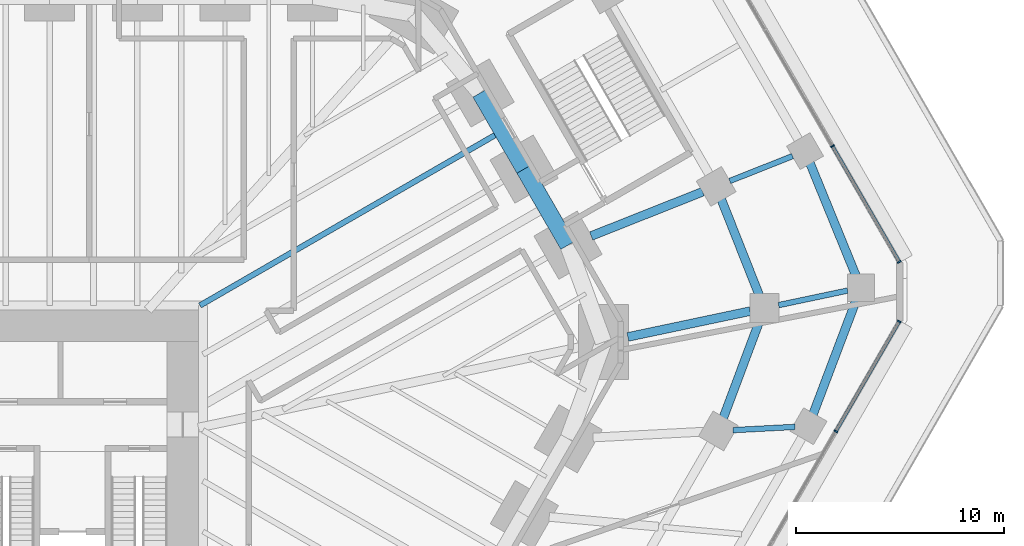
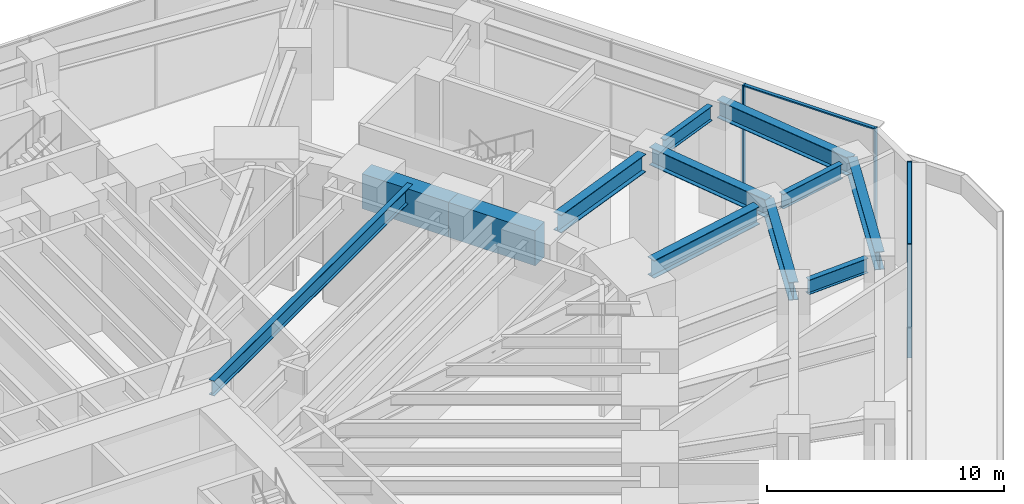
# One storey, part 9 of 25: 12 beams, 6 members, 2 elements without a shape of their own.
"""IFC4 building model written with IfcOpenShell, lengths in metres."""

from ifc_helpers import new_model, si_unit, direction, frame, origin, origin_2d, place, context, subcontext, project, spatial, rectangle, i_section, extrude, material, material_profile, profile_set, type_object, element, aggregate, save


model = new_model("IFC4")

# Units and contexts
model_context = context("Model", 3, precision=1e-05, world=origin(), true_north=direction((0.0, 1.0)))
body_context = subcontext(model_context, "Body", "Model", "MODEL_VIEW")
ifc_project = project(units=[si_unit("LENGTHUNIT", "METRE"), si_unit("AREAUNIT", "SQUARE_METRE"), si_unit("VOLUMEUNIT", "CUBIC_METRE"), si_unit("PLANEANGLEUNIT", "RADIAN"), si_unit("MASSUNIT", "GRAM", prefix="KILO")], contexts=[model_context])

# Site, building, storey
site_placement = place(None, origin())
site = spatial("IfcSite", under=ifc_project, at=site_placement, CompositionType="ELEMENT")
building_placement = place(site_placement, origin())
building = spatial("IfcBuilding", under=site, at=building_placement, Name="Sandreach Pilgrim Tower", CompositionType="ELEMENT")
storey_placement = place(building_placement, frame((0.0, 0.0, 6.0)))
storey = spatial("IfcBuildingStorey", under=building, at=storey_placement, Name="L01", CompositionType="ELEMENT", Elevation=6.0)

# Curtain wall, members
ifc_material_1 = material(Name="Aluminium framed curtain wall", Category="aluminium")
curtain_wall_type = type_object("IfcCurtainWallType", Name="Podium storefront curtain wall", PredefinedType="NOTDEFINED", material=ifc_material_1)
curtain_wall_1_placement = place(storey_placement, origin())
curtain_wall_1 = element("IfcCurtainWall", 1, at=curtain_wall_1_placement, inside=storey, type_object=curtain_wall_type, Name="CW-P L01 NE", PredefinedType="NOTDEFINED")
ifc_material_2 = material(Name="Aluminium extrusion", Category="aluminium")
ifc_material_profile_1 = material_profile(ifc_material_2, rectangle(XDim=0.070068359375, YDim=0.199951171875, at=origin_2d()), Name="CW-PM 70X200")
ifc_profile_set_1 = profile_set([ifc_material_profile_1], Name="Aluminium extrusion")
member_type_1 = type_object("IfcMemberType", Name="CW-P mullion", PredefinedType="MULLION", material=ifc_profile_set_1)
member_1_placement = place(storey_placement, frame((39.7177734375, 15.477294921875, 0.0), z_axis=(0.0, 0.0, 1.0), x_axis=(0.5, -0.866025403784, 0.0)))
member_1 = element("IfcMember", 2, at=member_1_placement, type_object=member_type_1, Name="CW-P mullion 4", PredefinedType="MULLION", context=body_context, shape_type="SweptSolid", body=[
    extrude(rectangle(XDim=0.070068359375, YDim=0.199951171875, at=origin_2d()), origin(), (0.0, 0.0, 1.0), 5.840087890625),
])
member_2_placement = place(storey_placement, frame((42.927734375, 9.91748046875, 0.0), z_axis=(0.0, 0.0, 1.0), x_axis=(0.5, -0.866025403784, 0.0)))
member_2 = element("IfcMember", 3, at=member_2_placement, type_object=member_type_1, Name="CW-P mullion 5", PredefinedType="MULLION", context=body_context, shape_type="SweptSolid", body=[
    extrude(rectangle(XDim=0.070068359375, YDim=0.199951171875, at=origin_2d()), origin(), (0.0, 0.0, 1.0), 5.840087890625),
])

curtain_wall_2_placement = place(storey_placement, origin())
curtain_wall_2 = element("IfcCurtainWall", 4, at=curtain_wall_2_placement, inside=storey, type_object=curtain_wall_type, Name="CW-P L01 SE", PredefinedType="NOTDEFINED")
member_3_placement = place(storey_placement, frame((42.927734375, 7.056640625, 0.0), z_axis=(0.0, 0.0, 1.0), x_axis=(-0.5, -0.866025403784, 0.0)))
member_3 = element("IfcMember", 5, at=member_3_placement, type_object=member_type_1, Name="CW-P mullion 1", PredefinedType="MULLION", context=body_context, shape_type="SweptSolid", body=[
    extrude(rectangle(XDim=0.070068359375, YDim=0.199951171875, at=origin_2d()), origin(), (0.0, 0.0, 1.0), 5.840087890625),
])
member_4_placement = place(storey_placement, frame((39.87744140625, 1.7734375, 0.0), z_axis=(0.0, 0.0, 1.0), x_axis=(-0.5, -0.866025403784, 0.0)))
member_4 = element("IfcMember", 6, at=member_4_placement, type_object=member_type_1, Name="CW-P mullion 2", PredefinedType="MULLION", context=body_context, shape_type="SweptSolid", body=[
    extrude(rectangle(XDim=0.070068359375, YDim=0.199951171875, at=origin_2d()), origin(), (0.0, 0.0, 1.0), 5.840087890625),
])

# Member
ifc_material_3 = material(Name="Aluminium extrusion", Category="aluminium")
ifc_material_profile_2 = material_profile(ifc_material_3, rectangle(XDim=0.159912109375, YDim=0.070068359375, at=origin_2d()), Name="CW-PT 160X70")
ifc_profile_set_2 = profile_set([ifc_material_profile_2], Name="Aluminium extrusion")
member_type_2 = type_object("IfcMemberType", Name="CW-P transom", PredefinedType="USERDEFINED", material=ifc_profile_set_2)
member_5_placement = place(storey_placement, frame((39.7353515625, 15.447021484375, 5.804931640625), z_axis=(0.500005339912, -0.866022320763, 0.0), x_axis=(0.866022320763, 0.500005339912, 0.0)))
member_5 = element("IfcMember", 7, at=member_5_placement, type_object=member_type_2, Name="CW-P head transom 4", ObjectType="TRANSOM", PredefinedType="USERDEFINED", context=body_context, shape_type="SweptSolid", body=[
    extrude(rectangle(XDim=0.159912109375, YDim=0.070068359375, at=origin_2d()), origin(), (0.0, 0.0, 1.0), 6.35009765625),
])

aggregate(curtain_wall_1, [member_1, member_2, member_5])

member_6_placement = place(storey_placement, frame((42.910400390625, 7.0263671875, 5.804931640625), z_axis=(-0.500009808318, -0.866019740875, 0.0), x_axis=(0.866019740875, -0.500009808318, 0.0)))
member_6 = element("IfcMember", 8, at=member_6_placement, type_object=member_type_2, Name="CW-P head transom 1", ObjectType="TRANSOM", PredefinedType="USERDEFINED", context=body_context, shape_type="SweptSolid", body=[
    extrude(rectangle(XDim=0.159912109375, YDim=0.070068359375, at=origin_2d()), origin(), (0.0, 0.0, 1.0), 6.03076171875),
])

aggregate(curtain_wall_2, [member_3, member_4, member_6])

# Beams
ifc_material_4 = material(Name="Steel ASTM A992 Grade 50", Category="steel")
ifc_material_profile_3 = material_profile(ifc_material_4, i_section(OverallWidth=0.2666015625, OverallDepth=0.77978515625, WebThickness=0.0166015625, FlangeThickness=0.030029296875, at=origin_2d()), Name="W30X148")
ifc_profile_set_3 = profile_set([ifc_material_profile_3], Name="Steel ASTM A992 Grade 50")
beam_type_1 = type_object("IfcBeamType", Name="Floor beam W30X148", PredefinedType="BEAM", material=ifc_profile_set_3)
beam_1_placement = place(storey_placement, frame((23.843505859375, 16.203857421875, 5.4501953125), z_axis=(-0.866022606334, -0.500004845295, 0.0), x_axis=(0.500004845295, -0.866022606334, 0.0)))
element("IfcBeam", 9, at=beam_1_placement, inside=storey, type_object=beam_type_1, Name="BM L01 FM10", PredefinedType="BEAM", context=body_context, shape_type="SweptSolid", body=[
    extrude(i_section(OverallWidth=0.2666015625, OverallDepth=0.77978515625, WebThickness=0.0166015625, FlangeThickness=0.030029296875, at=origin_2d()), origin(), (0.0, 0.0, 1.0), 16.763427734375),
])
ifc_material_5 = material(Name="Steel ASTM A992 Grade 50", Category="steel")
ifc_material_profile_4 = material_profile(ifc_material_5, i_section(OverallWidth=0.2666015625, OverallDepth=0.7568359375, WebThickness=0.013916015625, FlangeThickness=0.019287109375, at=origin_2d()), Name="W30X108")
ifc_profile_set_4 = profile_set([ifc_material_profile_4], Name="Steel ASTM A992 Grade 50")
beam_type_2 = type_object("IfcBeamType", Name="Podium beam W30X108", PredefinedType="BEAM", material=ifc_profile_set_4)
beam_2_placement = place(storey_placement, frame((34.77978515625, 13.802001953125, 5.37158203125), z_axis=(0.929469422861, 0.368899162327, 0.0), x_axis=(-0.368899162327, 0.929469422861, 0.0)))
element("IfcBeam", 10, at=beam_2_placement, inside=storey, type_object=beam_type_2, Name="BM L01 PR140-12", PredefinedType="BEAM", context=body_context, shape_type="SweptSolid", body=[
    extrude(i_section(OverallWidth=0.2666015625, OverallDepth=0.7568359375, WebThickness=0.013916015625, FlangeThickness=0.019287109375, at=origin_2d()), origin(), (0.0, 0.0, 1.0), 3.24560546875),
])
beam_3_placement = place(storey_placement, frame((37.128173828125, 7.8388671875, 5.37158203125), z_axis=(0.978431212045, 0.206572900681, 0.0), x_axis=(-0.206572900681, 0.978431212045, 0.0)))
element("IfcBeam", 11, at=beam_3_placement, inside=storey, type_object=beam_type_2, Name="BM L01 PR140-13", PredefinedType="BEAM", context=body_context, shape_type="SweptSolid", body=[
    extrude(i_section(OverallWidth=0.2666015625, OverallDepth=0.7568359375, WebThickness=0.013916015625, FlangeThickness=0.019287109375, at=origin_2d()), origin(), (0.0, 0.0, 1.0), 3.390869140625),
])
beam_4_placement = place(storey_placement, frame((34.933837890625, 1.831298828125, 5.37158203125), z_axis=(0.998626620919, 0.052391525946, 0.0), x_axis=(-0.052391525946, 0.998626620919, 0.0)))
element("IfcBeam", 12, at=beam_4_placement, inside=storey, type_object=beam_type_2, Name="BM L01 PR140-14", PredefinedType="BEAM", context=body_context, shape_type="SweptSolid", body=[
    extrude(i_section(OverallWidth=0.2666015625, OverallDepth=0.7568359375, WebThickness=0.013916015625, FlangeThickness=0.019287109375, at=origin_2d()), origin(), (0.0, 0.0, 1.0), 2.987060546875),
])
ifc_material_6 = material(Name="Steel ASTM A992 Grade 50", Category="steel")
ifc_material_profile_5 = material_profile(ifc_material_6, i_section(OverallWidth=0.419189453125, OverallDepth=0.927001953125, WebThickness=0.019287109375, FlangeThickness=0.031982421875, at=origin_2d()), Name="W36X231")
ifc_profile_set_5 = profile_set([ifc_material_profile_5], Name="Steel ASTM A992 Grade 50")
beam_type_3 = type_object("IfcBeamType", Name="Podium beam W36X231", PredefinedType="BEAM", material=ifc_profile_set_5)
beam_5_placement = place(storey_placement, frame((28.12548828125, 11.161376953125, 5.37646484375), z_axis=(0.929487712138, 0.368853077776, 0.0), x_axis=(-0.368853077776, 0.929487712138, 0.0)))
element("IfcBeam", 13, at=beam_5_placement, inside=storey, type_object=beam_type_3, Name="BM L01 PR125-12", PredefinedType="BEAM", context=body_context, shape_type="SweptSolid", body=[
    extrude(i_section(OverallWidth=0.419189453125, OverallDepth=0.927001953125, WebThickness=0.019287109375, FlangeThickness=0.031982421875, at=origin_2d()), origin(), (0.0, 0.0, 1.0), 5.759033203125),
])
beam_6_placement = place(storey_placement, frame((29.88671875, 6.31005859375, 5.37646484375), z_axis=(0.978427888688, 0.206588641113, 0.0), x_axis=(-0.206588641113, 0.978427888688, 0.0)))
element("IfcBeam", 14, at=beam_6_placement, inside=storey, type_object=beam_type_3, Name="BM L01 PR125-13", PredefinedType="BEAM", context=body_context, shape_type="SweptSolid", body=[
    extrude(i_section(OverallWidth=0.419189453125, OverallDepth=0.927001953125, WebThickness=0.019287109375, FlangeThickness=0.031982421875, at=origin_2d()), origin(), (0.0, 0.0, 1.0), 6.0009765625),
])
ifc_material_7 = material(Name="Steel ASTM A992 Grade 50", Category="steel")
ifc_material_profile_6 = material_profile(ifc_material_7, i_section(OverallWidth=0.419189453125, OverallDepth=0.927001953125, WebThickness=0.019287109375, FlangeThickness=0.031982421875, at=origin_2d()), Name="W36X231")
ifc_profile_set_6 = profile_set([ifc_material_profile_6], Name="Steel ASTM A992 Grade 50")
beam_type_4 = type_object("IfcBeamType", Name="Podium edge beam W36X231", PredefinedType="BEAM", material=ifc_profile_set_6)
beam_7_placement = place(storey_placement, frame((34.129150390625, 13.5439453125, 5.37646484375), z_axis=(0.367875090732, -0.929875216155, 0.0), x_axis=(0.929875216155, 0.367875090732, 0.0)))
element("IfcBeam", 15, at=beam_7_placement, inside=storey, type_object=beam_type_4, Name="BM L01 PE125-12", PredefinedType="BEAM", context=body_context, shape_type="SweptSolid", body=[
    extrude(i_section(OverallWidth=0.419189453125, OverallDepth=0.927001953125, WebThickness=0.019287109375, FlangeThickness=0.031982421875, at=origin_2d()), origin(), (0.0, 0.0, 1.0), 6.290771484375),
])
beam_8_placement = place(storey_placement, frame((36.443359375, 7.6943359375, 5.37646484375), z_axis=(-0.350583989039, -0.936531295061, 0.0), x_axis=(0.936531295061, -0.350583989039, 0.0)))
element("IfcBeam", 16, at=beam_8_placement, inside=storey, type_object=beam_type_4, Name="BM L01 PE125-13", PredefinedType="BEAM", context=body_context, shape_type="SweptSolid", body=[
    extrude(i_section(OverallWidth=0.419189453125, OverallDepth=0.927001953125, WebThickness=0.019287109375, FlangeThickness=0.031982421875, at=origin_2d()), origin(), (0.0, 0.0, 1.0), 6.299560546875),
])
beam_9_placement = place(storey_placement, frame((38.400390625, 15.239013671875, 5.286376953125), z_axis=(0.378093917768, -0.925767243613, 0.0), x_axis=(0.925767243613, 0.378093917768, 0.0)))
element("IfcBeam", 17, at=beam_9_placement, inside=storey, type_object=beam_type_4, Name="BM L01 PE140-12", PredefinedType="BEAM", context=body_context, shape_type="SweptSolid", body=[
    extrude(i_section(OverallWidth=0.419189453125, OverallDepth=0.927001953125, WebThickness=0.019287109375, FlangeThickness=0.031982421875, at=origin_2d()), origin(), (0.0, 0.0, 1.0), 7.091796875),
])
beam_10_placement = place(storey_placement, frame((41.081787109375, 8.673583984375, 5.286376953125), z_axis=(-0.353763046731, -0.935335077268, 0.0), x_axis=(0.935335077268, -0.353763046731, 0.0)))
element("IfcBeam", 18, at=beam_10_placement, inside=storey, type_object=beam_type_4, Name="BM L01 PE140-13", PredefinedType="BEAM", context=body_context, shape_type="SweptSolid", body=[
    extrude(i_section(OverallWidth=0.419189453125, OverallDepth=0.927001953125, WebThickness=0.019287109375, FlangeThickness=0.031982421875, at=origin_2d()), origin(), (0.0, 0.0, 1.0), 7.11181640625),
])
ifc_material_8 = material(Name="Concrete 10000 psi", Category="concrete")
ifc_material_profile_7 = material_profile(ifc_material_8, rectangle(XDim=0.800048828125, YDim=1.800048828125, at=origin_2d()), Name="RC800X1800")
ifc_profile_set_7 = profile_set([ifc_material_profile_7], Name="Concrete 10000 psi")
beam_type_5 = type_object("IfcBeamType", Name="Spandrel beam RC800X1800", PredefinedType="SPANDREL", material=ifc_profile_set_7)
beam_11_placement = place(storey_placement, frame((22.787841796875, 18.031982421875, 4.93994140625), z_axis=(0.500001084989, -0.866024777365, 0.0), x_axis=(0.866024777365, 0.500001084989, 0.0)))
element("IfcBeam", 19, at=beam_11_placement, inside=storey, type_object=beam_type_5, Name="BM L01 SP10", PredefinedType="SPANDREL", context=body_context, shape_type="SweptSolid", body=[
    extrude(rectangle(XDim=0.800048828125, YDim=1.800048828125, at=origin_2d()), origin(), (0.0, 0.0, 1.0), 4.22216796875),
])
beam_12_placement = place(storey_placement, frame((24.89892578125, 14.37548828125, 4.93994140625), z_axis=(0.500019412692, -0.866014195571, 0.0), x_axis=(0.866014195571, 0.500019412692, 0.0)))
element("IfcBeam", 20, at=beam_12_placement, inside=storey, type_object=beam_type_5, Name="BM L01 SP11", PredefinedType="SPANDREL", context=body_context, shape_type="SweptSolid", body=[
    extrude(rectangle(XDim=0.800048828125, YDim=1.800048828125, at=origin_2d()), origin(), (0.0, 0.0, 1.0), 4.222412109375),
])

save(model, "model.ifc")
